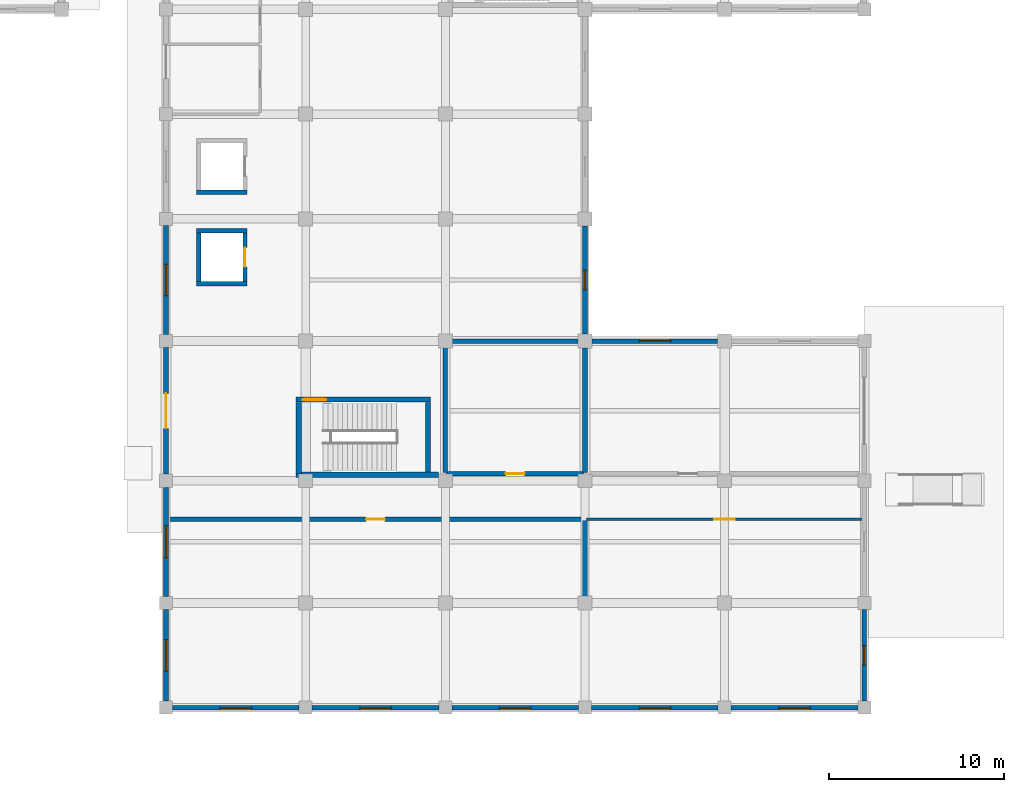
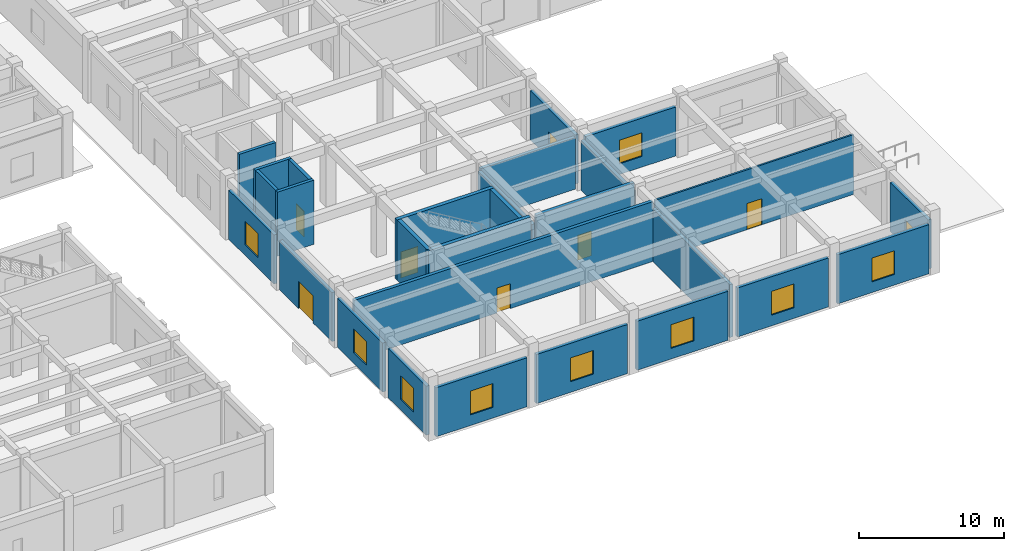
# One storey, part 27 of 40: 28 walls, 11 windows, 6 doors, 17 openings.
"""IFC4 building model written with IfcOpenShell, lengths in metres."""

from ifc_helpers import new_model, si_unit, direction, frame, frame_2d, origin, place, context, subcontext, project, spatial, rectangle, extrude, material, layer, layer_set, type_object, element, fill, save


model = new_model("IFC4")

# Units and contexts
model_context = context("Model", 3, precision=1e-05, world=origin(), true_north=direction((0.0, 1.0)))
body_context = subcontext(model_context, "Body", "Model", "MODEL_VIEW")
ifc_project = project(units=[si_unit("LENGTHUNIT", "METRE"), si_unit("AREAUNIT", "SQUARE_METRE"), si_unit("VOLUMEUNIT", "CUBIC_METRE"), si_unit("PLANEANGLEUNIT", "RADIAN"), si_unit("MASSUNIT", "GRAM", prefix="KILO")], contexts=[model_context])

# Site, building, storey
site_placement = place(None, origin())
site = spatial("IfcSite", under=ifc_project, at=site_placement, CompositionType="ELEMENT")
building_placement = place(site_placement, origin())
building = spatial("IfcBuilding", under=site, at=building_placement, Name="Naurynzar Civic Courthouse", CompositionType="ELEMENT")
storey_placement = place(building_placement, origin())
storey = spatial("IfcBuildingStorey", under=building, at=storey_placement, Name="L01", CompositionType="ELEMENT", Elevation=0.0)

# Wall, opening, door
ifc_material_1 = material(Name="Concrete C40/50", Category="concrete")
ifc_layer_1 = layer(ifc_material_1, 0.300048828125)
ifc_layer_set_1 = layer_set([ifc_layer_1], Name="WL-CORE-300")
wall_type_1 = type_object("IfcWallType", Name="WL-CORE-300", PredefinedType="SHEAR", material=ifc_layer_set_1)
wall_1_placement = place(storey_placement, frame((137.449951171875, 21.64990234375, 0.0), z_axis=(0.0, 0.0, 1.0), x_axis=(1.0, 0.0, 0.0)))
wall_1 = element("IfcWall", 1, at=wall_1_placement, inside=storey, type_object=wall_type_1, Name="Stair ST-V5A enclosure wall north L01", PredefinedType="SHEAR", context=body_context, shape_type="SweptSolid", body=[
    extrude(rectangle(XDim=7.699951171875, YDim=0.300048828125, at=frame_2d((3.85009765625, 0.0))), origin(), (0.0, 0.0, 1.0), 5.10009765625),
])
opening_1_placement = place(wall_1_placement, frame((0.375, 0.0, 0.0)))
opening_1 = element("IfcOpeningElement", 2, at=opening_1_placement, cuts=wall_1, Name="Opening SD-060", PredefinedType="OPENING", context=body_context, shape_type="SweptSolid", body=[
    extrude(rectangle(XDim=1.35009765625, YDim=2.199951171875, at=frame_2d((0.675048828125, 1.10009765625))), frame((0.0, 0.159912109375, 0.0), z_axis=(0.0, -1.0, 0.0), x_axis=(1.0, 0.0, 0.0)), (0.0, 0.0, 1.0), 0.320068359375),
])
ifc_material_2 = material(Name="Powder-Coated Galvanised Steel", Category="steel")
door_type_1 = type_object("IfcDoorType", Name="DR-STAIR-1350x2200", OperationType="NOTDEFINED", PredefinedType="DOOR", material=ifc_material_2)
door_1_placement = place(opening_1_placement, origin())
door_1 = element("IfcDoor", 3, at=door_1_placement, inside=storey, type_object=door_type_1, Name="Stair ST-V5A fire door L01", OperationType="SINGLE_SWING_RIGHT", OverallHeight=2.199951171875, OverallWidth=1.35009765625, PredefinedType="DOOR", context=body_context, shape_type="SweptSolid", body=[
    extrude(rectangle(XDim=1.35009765625, YDim=2.199951171875, at=frame_2d((0.675048828125, 1.10009765625))), frame((0.0, 0.02490234375, 0.0), z_axis=(0.0, -1.0, 0.0), x_axis=(1.0, 0.0, 0.0)), (0.0, 0.0, 1.0), 0.050048828125),
])
fill(opening_1, door_1)

# Walls
wall_2_placement = place(storey_placement, frame((137.449951171875, 17.35009765625, 0.0), z_axis=(0.0, 0.0, 1.0), x_axis=(1.0, 0.0, 0.0)))
element("IfcWall", 4, at=wall_2_placement, inside=storey, type_object=wall_type_1, Name="Stair ST-V5A enclosure wall south L01", PredefinedType="SHEAR", context=body_context, shape_type="SweptSolid", body=[
    extrude(rectangle(XDim=8.170166015625, YDim=0.300048828125, at=frame_2d((4.0849609375, 0.0))), origin(), (0.0, 0.0, 1.0), 5.10009765625),
])
wall_3_placement = place(storey_placement, frame((137.60009765625, 21.4951171875, 0.0), z_axis=(0.0, 0.0, 1.0), x_axis=(0.0, -1.0, 0.0)))
element("IfcWall", 5, at=wall_3_placement, inside=storey, type_object=wall_type_1, Name="Stair ST-V5A enclosure wall west L01", PredefinedType="SHEAR", context=body_context, shape_type="SweptSolid", body=[
    extrude(rectangle(XDim=4.115234375, YDim=0.300048828125, at=frame_2d((2.0576171875, 0.0))), origin(), (0.0, 0.0, 1.0), 5.10009765625),
])
wall_4_placement = place(storey_placement, frame((145.0, 17.5048828125, 0.0), z_axis=(0.0, 0.0, 1.0), x_axis=(0.0, 1.0, 0.0)))
element("IfcWall", 6, at=wall_4_placement, inside=storey, type_object=wall_type_1, Name="Stair ST-V5A enclosure wall east L01", PredefinedType="SHEAR", context=body_context, shape_type="SweptSolid", body=[
    extrude(rectangle(XDim=3.990234375, YDim=0.300048828125, at=frame_2d((1.9951171875, 0.0))), origin(), (0.0, 0.0, 1.0), 5.10009765625),
])

# Wall, opening, door
ifc_material_3 = material(Name="Concrete C40/50", Category="concrete")
ifc_layer_2 = layer(ifc_material_3, 0.260009765625)
ifc_layer_set_2 = layer_set([ifc_layer_2], Name="WL-CUS-260")
wall_type_2 = type_object("IfcWallType", Name="WL-CUS-260", PredefinedType="SOLIDWALL", material=ifc_layer_set_2)
wall_5_placement = place(storey_placement, frame((130.080078125, 14.800048828125, 0.0), z_axis=(0.0, 0.0, 1.0), x_axis=(1.0, 0.0, 0.0)))
wall_5 = element("IfcWall", 7, at=wall_5_placement, inside=storey, type_object=wall_type_2, Name="V5 interior partition L01.77", PredefinedType="SOLIDWALL", context=body_context, shape_type="SweptSolid", body=[
    extrude(rectangle(XDim=23.83984375, YDim=0.260009765625, at=frame_2d((11.919921875, 0.0))), origin(), (0.0, 0.0, 1.0), 5.0400390625),
])
opening_2_placement = place(wall_5_placement, frame((11.3798828125, 0.0, 0.0)))
opening_2 = element("IfcOpeningElement", 8, at=opening_2_placement, cuts=wall_5, Name="Opening D-280", PredefinedType="OPENING", context=body_context, shape_type="SweptSolid", body=[
    extrude(rectangle(XDim=1.080078125, YDim=2.10009765625, at=frame_2d((0.5400390625, 1.050048828125))), frame((0.0, 0.139892578125, 0.0), z_axis=(0.0, -1.0, 0.0), x_axis=(1.0, 0.0, 0.0)), (0.0, 0.0, 1.0), 0.280029296875),
])
ifc_material_4 = material(Name="Powder-Coated Galvanised Steel", Category="steel")
door_type_2 = type_object("IfcDoorType", Name="DR-CUS-CELL-1080x2100", OperationType="NOTDEFINED", PredefinedType="DOOR", material=ifc_material_4)
door_2_placement = place(opening_2_placement, origin())
door_2 = element("IfcDoor", 9, at=door_2_placement, inside=storey, type_object=door_type_2, Name="Interior door D-280 (Custody Suite Intake and Holding Cells)", OperationType="SINGLE_SWING_RIGHT", OverallHeight=2.10009765625, OverallWidth=1.080078125, PredefinedType="DOOR", context=body_context, shape_type="SweptSolid", body=[
    extrude(rectangle(XDim=1.080078125, YDim=2.10009765625, at=frame_2d((0.5400390625, 1.050048828125))), frame((0.0, 0.02490234375, 0.0), z_axis=(0.0, -1.0, 0.0), x_axis=(1.0, 0.0, 0.0)), (0.0, 0.0, 1.0), 0.050048828125),
])
fill(opening_2, door_2)

wall_6_placement = place(storey_placement, frame((146.080078125, 17.39990234375, 0.0), z_axis=(0.0, 0.0, 1.0), x_axis=(1.0, 0.0, 0.0)))
wall_6 = element("IfcWall", 10, at=wall_6_placement, inside=storey, type_object=wall_type_2, Name="V5 interior partition L01.79", PredefinedType="SOLIDWALL", context=body_context, shape_type="SweptSolid", body=[
    extrude(rectangle(XDim=7.83984375, YDim=0.260009765625, at=frame_2d((3.919921875, 0.0))), origin(), (0.0, 0.0, 1.0), 5.0400390625),
])
opening_3_placement = place(wall_6_placement, frame((3.3798828125, 0.0, 0.0)))
opening_3 = element("IfcOpeningElement", 11, at=opening_3_placement, cuts=wall_6, Name="Opening D-282", PredefinedType="OPENING", context=body_context, shape_type="SweptSolid", body=[
    extrude(rectangle(XDim=1.080078125, YDim=2.10009765625, at=frame_2d((0.5400390625, 1.050048828125))), frame((0.0, 0.139892578125, 0.0), z_axis=(0.0, -1.0, 0.0), x_axis=(1.0, 0.0, 0.0)), (0.0, 0.0, 1.0), 0.280029296875),
])
door_3_placement = place(opening_3_placement, origin())
door_3 = element("IfcDoor", 12, at=door_3_placement, inside=storey, type_object=door_type_2, Name="Interior door D-282 (Custody Escort Control and Medical Room)", OperationType="SINGLE_SWING_RIGHT", OverallHeight=2.10009765625, OverallWidth=1.080078125, PredefinedType="DOOR", context=body_context, shape_type="SweptSolid", body=[
    extrude(rectangle(XDim=1.080078125, YDim=2.10009765625, at=frame_2d((0.5400390625, 1.050048828125))), frame((0.0, 0.02490234375, 0.0), z_axis=(0.0, -1.0, 0.0), x_axis=(1.0, 0.0, 0.0)), (0.0, 0.0, 1.0), 0.050048828125),
])
fill(opening_3, door_3)

# Walls
wall_7_placement = place(storey_placement, frame((146.080078125, 25.0, 0.0), z_axis=(0.0, 0.0, 1.0), x_axis=(1.0, 0.0, 0.0)))
element("IfcWall", 13, at=wall_7_placement, inside=storey, type_object=wall_type_2, Name="V5 interior partition L01.87", PredefinedType="SOLIDWALL", context=body_context, shape_type="SweptSolid", body=[
    extrude(rectangle(XDim=7.52001953125, YDim=0.260009765625, at=frame_2d((3.760009765625, 0.0))), origin(), (0.0, 0.0, 1.0), 4.35009765625),
])
wall_8_placement = place(storey_placement, frame((146.0, 17.47998046875, 0.0), z_axis=(0.0, 0.0, 1.0), x_axis=(0.0, 1.0, 0.0)))
element("IfcWall", 14, at=wall_8_placement, inside=storey, type_object=wall_type_2, Name="V5 interior partition L01.176", PredefinedType="SOLIDWALL", context=body_context, shape_type="SweptSolid", body=[
    extrude(rectangle(XDim=7.43994140625, YDim=0.260009765625, at=frame_2d((3.719970703125, 0.0))), origin(), (0.0, 0.0, 1.0), 4.199951171875),
])
wall_9_placement = place(storey_placement, frame((154.0, 4.080078125, 0.0), z_axis=(0.0, 0.0, 1.0), x_axis=(0.0, 1.0, 0.0)))
element("IfcWall", 15, at=wall_9_placement, inside=storey, type_object=wall_type_2, Name="V5 interior partition L01.178", PredefinedType="SOLIDWALL", context=body_context, shape_type="SweptSolid", body=[
    extrude(rectangle(XDim=10.639892578125, YDim=0.260009765625, at=frame_2d((5.31982421875, 0.0))), origin(), (0.0, 0.0, 1.0), 4.449951171875),
])
wall_10_placement = place(storey_placement, frame((154.0, 17.47998046875, 0.0), z_axis=(0.0, 0.0, 1.0), x_axis=(0.0, 1.0, 0.0)))
element("IfcWall", 16, at=wall_10_placement, inside=storey, type_object=wall_type_2, Name="V5 interior partition L01.179", PredefinedType="SOLIDWALL", context=body_context, shape_type="SweptSolid", body=[
    extrude(rectangle(XDim=7.1201171875, YDim=0.260009765625, at=frame_2d((3.56005859375, 0.0))), origin(), (0.0, 0.0, 1.0), 4.199951171875),
])

# Wall, opening, window
ifc_material_5 = material(Name="Precast concrete C40/50", Category="concrete")
ifc_layer_3 = layer(ifc_material_5, 0.260009765625)
ifc_layer_set_3 = layer_set([ifc_layer_3], Name="WL-EXT-260")
wall_type_3 = type_object("IfcWallType", Name="WL-EXT-260", PredefinedType="SOLIDWALL", material=ifc_layer_set_3)
wall_11_placement = place(storey_placement, frame((130.0, 4.375, 0.0), z_axis=(0.0, 0.0, 1.0), x_axis=(0.0, 1.0, 0.0)))
wall_11 = element("IfcWall", 17, at=wall_11_placement, inside=storey, type_object=wall_type_3, Name="V5 exterior wall west L01.1.1", PredefinedType="SOLIDWALL", context=body_context, shape_type="SweptSolid", body=[
    extrude(rectangle(XDim=5.25, YDim=0.260009765625, at=frame_2d((2.625, 0.0))), origin(), (0.0, 0.0, 1.0), 4.1298828125),
])
opening_4_placement = place(wall_11_placement, frame((1.72509765625, 0.0, 0.89990234375)))
opening_4 = element("IfcOpeningElement", 18, at=opening_4_placement, cuts=wall_11, Name="Opening WN-03", PredefinedType="OPENING", context=body_context, shape_type="SweptSolid", body=[
    extrude(rectangle(XDim=1.800048828125, YDim=2.0, at=frame_2d((0.89990234375, 1.0))), frame((0.0, 0.139892578125, 0.0), z_axis=(0.0, -1.0, 0.0), x_axis=(1.0, 0.0, 0.0)), (0.0, 0.0, 1.0), 0.280029296875),
])
ifc_material_6 = material(Name="Tempered Laminated Low-E Glass", Category="glass")
window_type_1 = type_object("IfcWindowType", Name="WIN-COURT-1800x2000", PartitioningType="DOUBLE_PANEL_VERTICAL", PredefinedType="WINDOW", material=ifc_material_6)
window_1_placement = place(opening_4_placement, origin())
window_1 = element("IfcWindow", 19, at=window_1_placement, inside=storey, type_object=window_type_1, Name="V5 window 238 L01", OverallHeight=2.0, OverallWidth=1.800048828125, PartitioningType="SINGLE_PANEL", PredefinedType="WINDOW", context=body_context, shape_type="SweptSolid", body=[
    extrude(rectangle(XDim=1.800048828125, YDim=2.0, at=frame_2d((0.89990234375, 1.0))), frame((0.0, 0.030029296875, 0.0), z_axis=(0.0, -1.0, 0.0), x_axis=(1.0, 0.0, 0.0)), (0.0, 0.0, 1.0), 0.06005859375),
])
fill(opening_4, window_1)

wall_12_placement = place(storey_placement, frame((130.0, 10.375, 0.0), z_axis=(0.0, 0.0, 1.0), x_axis=(0.0, 1.0, 0.0)))
wall_12 = element("IfcWall", 20, at=wall_12_placement, inside=storey, type_object=wall_type_3, Name="V5 exterior wall west L01.2.1", PredefinedType="SOLIDWALL", context=body_context, shape_type="SweptSolid", body=[
    extrude(rectangle(XDim=6.25, YDim=0.260009765625, at=frame_2d((3.125, 0.0))), origin(), (0.0, 0.0, 1.0), 4.1298828125),
])
opening_5_placement = place(wall_12_placement, frame((2.22509765625, 0.0, 0.89990234375)))
opening_5 = element("IfcOpeningElement", 21, at=opening_5_placement, cuts=wall_12, Name="Opening WN-03", PredefinedType="OPENING", context=body_context, shape_type="SweptSolid", body=[
    extrude(rectangle(XDim=1.800048828125, YDim=2.0, at=frame_2d((0.89990234375, 1.0))), frame((0.0, 0.139892578125, 0.0), z_axis=(0.0, -1.0, 0.0), x_axis=(1.0, 0.0, 0.0)), (0.0, 0.0, 1.0), 0.280029296875),
])
window_2_placement = place(opening_5_placement, origin())
window_2 = element("IfcWindow", 22, at=window_2_placement, inside=storey, type_object=window_type_1, Name="V5 window 239 L01", OverallHeight=2.0, OverallWidth=1.800048828125, PartitioningType="SINGLE_PANEL", PredefinedType="WINDOW", context=body_context, shape_type="SweptSolid", body=[
    extrude(rectangle(XDim=1.800048828125, YDim=2.0, at=frame_2d((0.89990234375, 1.0))), frame((0.0, 0.030029296875, 0.0), z_axis=(0.0, -1.0, 0.0), x_axis=(1.0, 0.0, 0.0)), (0.0, 0.0, 1.0), 0.06005859375),
])
fill(opening_5, window_2)

# Wall, opening, door
wall_13_placement = place(storey_placement, frame((130.0, 17.375, 0.0), z_axis=(0.0, 0.0, 1.0), x_axis=(0.0, 1.0, 0.0)))
wall_13 = element("IfcWall", 23, at=wall_13_placement, inside=storey, type_object=wall_type_3, Name="V5 exterior wall west L01.3.1", PredefinedType="SOLIDWALL", context=body_context, shape_type="SweptSolid", body=[
    extrude(rectangle(XDim=7.25, YDim=0.260009765625, at=frame_2d((3.625, 0.0))), origin(), (0.0, 0.0, 1.0), 4.1298828125),
])
opening_6_placement = place(wall_13_placement, frame((2.625, 0.0, 0.0)))
opening_6 = element("IfcOpeningElement", 24, at=opening_6_placement, cuts=wall_13, Name="Opening ED-19", PredefinedType="OPENING", context=body_context, shape_type="SweptSolid", body=[
    extrude(rectangle(XDim=2.0, YDim=2.300048828125, at=frame_2d((1.0, 1.14990234375))), frame((0.0, 0.139892578125, 0.0), z_axis=(0.0, -1.0, 0.0), x_axis=(1.0, 0.0, 0.0)), (0.0, 0.0, 1.0), 0.280029296875),
])
ifc_material_7 = material(Name="Aluminium 6063-T6", Category="aluminium")
door_type_3 = type_object("IfcDoorType", Name="DR-EXT-2000x2300", OperationType="DOUBLE_DOOR_SINGLE_SWING", PredefinedType="DOOR", material=ifc_material_7)
door_4_placement = place(opening_6_placement, origin())
door_4 = element("IfcDoor", 25, at=door_4_placement, inside=storey, type_object=door_type_3, Name="Ground final exit door ED-19", OperationType="DOUBLE_DOOR_SINGLE_SWING", OverallHeight=2.300048828125, OverallWidth=2.0, PredefinedType="DOOR", context=body_context, shape_type="SweptSolid", body=[
    extrude(rectangle(XDim=2.0, YDim=2.300048828125, at=frame_2d((1.0, 1.14990234375))), frame((0.0, 0.02490234375, 0.0), z_axis=(0.0, -1.0, 0.0), x_axis=(1.0, 0.0, 0.0)), (0.0, 0.0, 1.0), 0.050048828125),
])
fill(opening_6, door_4)

# Wall, opening, window
wall_14_placement = place(storey_placement, frame((130.0, 25.375, 0.0), z_axis=(0.0, 0.0, 1.0), x_axis=(0.0, 1.0, 0.0)))
wall_14 = element("IfcWall", 26, at=wall_14_placement, inside=storey, type_object=wall_type_3, Name="V5 exterior wall west L01.4.1", PredefinedType="SOLIDWALL", context=body_context, shape_type="SweptSolid", body=[
    extrude(rectangle(XDim=6.25, YDim=0.260009765625, at=frame_2d((3.125, 0.0))), origin(), (0.0, 0.0, 1.0), 4.1298828125),
])
opening_7_placement = place(wall_14_placement, frame((2.22509765625, 0.0, 0.89990234375)))
opening_7 = element("IfcOpeningElement", 27, at=opening_7_placement, cuts=wall_14, Name="Opening WN-03", PredefinedType="OPENING", context=body_context, shape_type="SweptSolid", body=[
    extrude(rectangle(XDim=1.800048828125, YDim=2.0, at=frame_2d((0.89990234375, 1.0))), frame((0.0, 0.139892578125, 0.0), z_axis=(0.0, -1.0, 0.0), x_axis=(1.0, 0.0, 0.0)), (0.0, 0.0, 1.0), 0.280029296875),
])
window_3_placement = place(opening_7_placement, origin())
window_3 = element("IfcWindow", 28, at=window_3_placement, inside=storey, type_object=window_type_1, Name="V5 window 240 L01", OverallHeight=2.0, OverallWidth=1.800048828125, PartitioningType="SINGLE_PANEL", PredefinedType="WINDOW", context=body_context, shape_type="SweptSolid", body=[
    extrude(rectangle(XDim=1.800048828125, YDim=2.0, at=frame_2d((0.89990234375, 1.0))), frame((0.0, 0.030029296875, 0.0), z_axis=(0.0, -1.0, 0.0), x_axis=(1.0, 0.0, 0.0)), (0.0, 0.0, 1.0), 0.06005859375),
])
fill(opening_7, window_3)

wall_15_placement = place(storey_placement, frame((154.0, 31.60009765625, 0.0), z_axis=(0.0, 0.0, 1.0), x_axis=(0.0, -1.0, 0.0)))
wall_15 = element("IfcWall", 29, at=wall_15_placement, inside=storey, type_object=wall_type_3, Name="V5 exterior wall notch_w L01.3.1", PredefinedType="SOLIDWALL", context=body_context, shape_type="SweptSolid", body=[
    extrude(rectangle(XDim=6.2001953125, YDim=0.260009765625, at=frame_2d((3.10009765625, 0.0))), origin(), (0.0, 0.0, 1.0), 4.1298828125),
])
opening_8_placement = place(wall_15_placement, frame((2.550048828125, 0.0, 1.0)))
opening_8 = element("IfcOpeningElement", 30, at=opening_8_placement, cuts=wall_15, Name="Opening WN-15", PredefinedType="OPENING", context=body_context, shape_type="SweptSolid", body=[
    extrude(rectangle(XDim=1.10009765625, YDim=1.199951171875, at=frame_2d((0.550048828125, 0.60009765625))), frame((0.0, 0.139892578125, 0.0), z_axis=(0.0, -1.0, 0.0), x_axis=(1.0, 0.0, 0.0)), (0.0, 0.0, 1.0), 0.280029296875),
])
ifc_material_8 = material(Name="Tempered Laminated Low-E Glass", Category="glass")
window_type_2 = type_object("IfcWindowType", Name="WIN-SEC-1100x1200", PartitioningType="SINGLE_PANEL", PredefinedType="WINDOW", material=ifc_material_8)
window_4_placement = place(opening_8_placement, origin())
window_4 = element("IfcWindow", 31, at=window_4_placement, inside=storey, type_object=window_type_2, Name="V5 window 252 L01", OverallHeight=1.199951171875, OverallWidth=1.10009765625, PartitioningType="SINGLE_PANEL", PredefinedType="WINDOW", context=body_context, shape_type="SweptSolid", body=[
    extrude(rectangle(XDim=1.10009765625, YDim=1.199951171875, at=frame_2d((0.550048828125, 0.60009765625))), frame((0.0, 0.030029296875, 0.0), z_axis=(0.0, -1.0, 0.0), x_axis=(1.0, 0.0, 0.0)), (0.0, 0.0, 1.0), 0.06005859375),
])
fill(opening_8, window_4)

wall_16_placement = place(storey_placement, frame((154.39990234375, 25.0, 0.0), z_axis=(0.0, 0.0, 1.0), x_axis=(1.0, 0.0, 0.0)))
wall_16 = element("IfcWall", 32, at=wall_16_placement, inside=storey, type_object=wall_type_3, Name="V5 exterior wall notch_s L01.1.1", PredefinedType="SOLIDWALL", context=body_context, shape_type="SweptSolid", body=[
    extrude(rectangle(XDim=7.2001953125, YDim=0.260009765625, at=frame_2d((3.60009765625, 0.0))), origin(), (0.0, 0.0, 1.0), 4.1298828125),
])
opening_9_placement = place(wall_16_placement, frame((2.699951171875, 0.0, 0.89990234375)))
opening_9 = element("IfcOpeningElement", 33, at=opening_9_placement, cuts=wall_16, Name="Opening WN-03", PredefinedType="OPENING", context=body_context, shape_type="SweptSolid", body=[
    extrude(rectangle(XDim=1.800048828125, YDim=2.0, at=frame_2d((0.89990234375, 1.0))), frame((0.0, 0.139892578125, 0.0), z_axis=(0.0, -1.0, 0.0), x_axis=(1.0, 0.0, 0.0)), (0.0, 0.0, 1.0), 0.280029296875),
])
window_5_placement = place(opening_9_placement, origin())
window_5 = element("IfcWindow", 34, at=window_5_placement, inside=storey, type_object=window_type_1, Name="V5 window 253 L01", OverallHeight=2.0, OverallWidth=1.800048828125, PartitioningType="SINGLE_PANEL", PredefinedType="WINDOW", context=body_context, shape_type="SweptSolid", body=[
    extrude(rectangle(XDim=1.800048828125, YDim=2.0, at=frame_2d((0.89990234375, 1.0))), frame((0.0, 0.030029296875, 0.0), z_axis=(0.0, -1.0, 0.0), x_axis=(1.0, 0.0, 0.0)), (0.0, 0.0, 1.0), 0.06005859375),
])
fill(opening_9, window_5)

wall_17_placement = place(storey_placement, frame((170.0, 9.625, 0.0), z_axis=(0.0, 0.0, 1.0), x_axis=(0.0, -1.0, 0.0)))
wall_17 = element("IfcWall", 35, at=wall_17_placement, inside=storey, type_object=wall_type_3, Name="V5 exterior wall east_south L01.3.1", PredefinedType="SOLIDWALL", context=body_context, shape_type="SweptSolid", body=[
    extrude(rectangle(XDim=5.25, YDim=0.260009765625, at=frame_2d((2.625, 0.0))), origin(), (0.0, 0.0, 1.0), 4.1298828125),
])
opening_10_placement = place(wall_17_placement, frame((2.074951171875, 0.0, 1.0)))
opening_10 = element("IfcOpeningElement", 36, at=opening_10_placement, cuts=wall_17, Name="Opening WN-15", PredefinedType="OPENING", context=body_context, shape_type="SweptSolid", body=[
    extrude(rectangle(XDim=1.10009765625, YDim=1.199951171875, at=frame_2d((0.550048828125, 0.60009765625))), frame((0.0, 0.139892578125, 0.0), z_axis=(0.0, -1.0, 0.0), x_axis=(1.0, 0.0, 0.0)), (0.0, 0.0, 1.0), 0.280029296875),
])
window_6_placement = place(opening_10_placement, origin())
window_6 = element("IfcWindow", 37, at=window_6_placement, inside=storey, type_object=window_type_2, Name="V5 window 256 L01", OverallHeight=1.199951171875, OverallWidth=1.10009765625, PartitioningType="SINGLE_PANEL", PredefinedType="WINDOW", context=body_context, shape_type="SweptSolid", body=[
    extrude(rectangle(XDim=1.10009765625, YDim=1.199951171875, at=frame_2d((0.550048828125, 0.60009765625))), frame((0.0, 0.030029296875, 0.0), z_axis=(0.0, -1.0, 0.0), x_axis=(1.0, 0.0, 0.0)), (0.0, 0.0, 1.0), 0.06005859375),
])
fill(opening_10, window_6)

wall_18_placement = place(storey_placement, frame((169.625, 4.0, 0.0), z_axis=(0.0, 0.0, 1.0), x_axis=(-1.0, 0.0, 0.0)))
wall_18 = element("IfcWall", 38, at=wall_18_placement, inside=storey, type_object=wall_type_3, Name="V5 exterior wall south L01.1.1", PredefinedType="SOLIDWALL", context=body_context, shape_type="SweptSolid", body=[
    extrude(rectangle(XDim=7.25, YDim=0.260009765625, at=frame_2d((3.625, 0.0))), origin(), (0.0, 0.0, 1.0), 4.1298828125),
])
opening_11_placement = place(wall_18_placement, frame((2.72509765625, 0.0, 0.89990234375)))
opening_11 = element("IfcOpeningElement", 39, at=opening_11_placement, cuts=wall_18, Name="Opening WN-03", PredefinedType="OPENING", context=body_context, shape_type="SweptSolid", body=[
    extrude(rectangle(XDim=1.800048828125, YDim=2.0, at=frame_2d((0.89990234375, 1.0))), frame((0.0, 0.139892578125, 0.0), z_axis=(0.0, -1.0, 0.0), x_axis=(1.0, 0.0, 0.0)), (0.0, 0.0, 1.0), 0.280029296875),
])
window_7_placement = place(opening_11_placement, origin())
window_7 = element("IfcWindow", 40, at=window_7_placement, inside=storey, type_object=window_type_1, Name="V5 window 257 L01", OverallHeight=2.0, OverallWidth=1.800048828125, PartitioningType="SINGLE_PANEL", PredefinedType="WINDOW", context=body_context, shape_type="SweptSolid", body=[
    extrude(rectangle(XDim=1.800048828125, YDim=2.0, at=frame_2d((0.89990234375, 1.0))), frame((0.0, 0.030029296875, 0.0), z_axis=(0.0, -1.0, 0.0), x_axis=(1.0, 0.0, 0.0)), (0.0, 0.0, 1.0), 0.06005859375),
])
fill(opening_11, window_7)

wall_19_placement = place(storey_placement, frame((161.625, 4.0, 0.0), z_axis=(0.0, 0.0, 1.0), x_axis=(-1.0, 0.0, 0.0)))
wall_19 = element("IfcWall", 41, at=wall_19_placement, inside=storey, type_object=wall_type_3, Name="V5 exterior wall south L01.2.1", PredefinedType="SOLIDWALL", context=body_context, shape_type="SweptSolid", body=[
    extrude(rectangle(XDim=7.25, YDim=0.260009765625, at=frame_2d((3.625, 0.0))), origin(), (0.0, 0.0, 1.0), 4.1298828125),
])
opening_12_placement = place(wall_19_placement, frame((2.72509765625, 0.0, 0.89990234375)))
opening_12 = element("IfcOpeningElement", 42, at=opening_12_placement, cuts=wall_19, Name="Opening WN-03", PredefinedType="OPENING", context=body_context, shape_type="SweptSolid", body=[
    extrude(rectangle(XDim=1.800048828125, YDim=2.0, at=frame_2d((0.89990234375, 1.0))), frame((0.0, 0.139892578125, 0.0), z_axis=(0.0, -1.0, 0.0), x_axis=(1.0, 0.0, 0.0)), (0.0, 0.0, 1.0), 0.280029296875),
])
window_8_placement = place(opening_12_placement, origin())
window_8 = element("IfcWindow", 43, at=window_8_placement, inside=storey, type_object=window_type_1, Name="V5 window 258 L01", OverallHeight=2.0, OverallWidth=1.800048828125, PartitioningType="SINGLE_PANEL", PredefinedType="WINDOW", context=body_context, shape_type="SweptSolid", body=[
    extrude(rectangle(XDim=1.800048828125, YDim=2.0, at=frame_2d((0.89990234375, 1.0))), frame((0.0, 0.030029296875, 0.0), z_axis=(0.0, -1.0, 0.0), x_axis=(1.0, 0.0, 0.0)), (0.0, 0.0, 1.0), 0.06005859375),
])
fill(opening_12, window_8)

wall_20_placement = place(storey_placement, frame((153.625, 4.0, 0.0), z_axis=(0.0, 0.0, 1.0), x_axis=(-1.0, 0.0, 0.0)))
wall_20 = element("IfcWall", 44, at=wall_20_placement, inside=storey, type_object=wall_type_3, Name="V5 exterior wall south L01.3.1", PredefinedType="SOLIDWALL", context=body_context, shape_type="SweptSolid", body=[
    extrude(rectangle(XDim=7.25, YDim=0.260009765625, at=frame_2d((3.625, 0.0))), origin(), (0.0, 0.0, 1.0), 4.1298828125),
])
opening_13_placement = place(wall_20_placement, frame((2.72509765625, 0.0, 0.89990234375)))
opening_13 = element("IfcOpeningElement", 45, at=opening_13_placement, cuts=wall_20, Name="Opening WN-03", PredefinedType="OPENING", context=body_context, shape_type="SweptSolid", body=[
    extrude(rectangle(XDim=1.800048828125, YDim=2.0, at=frame_2d((0.89990234375, 1.0))), frame((0.0, 0.139892578125, 0.0), z_axis=(0.0, -1.0, 0.0), x_axis=(1.0, 0.0, 0.0)), (0.0, 0.0, 1.0), 0.280029296875),
])
window_9_placement = place(opening_13_placement, origin())
window_9 = element("IfcWindow", 46, at=window_9_placement, inside=storey, type_object=window_type_1, Name="V5 window 259 L01", OverallHeight=2.0, OverallWidth=1.800048828125, PartitioningType="SINGLE_PANEL", PredefinedType="WINDOW", context=body_context, shape_type="SweptSolid", body=[
    extrude(rectangle(XDim=1.800048828125, YDim=2.0, at=frame_2d((0.89990234375, 1.0))), frame((0.0, 0.030029296875, 0.0), z_axis=(0.0, -1.0, 0.0), x_axis=(1.0, 0.0, 0.0)), (0.0, 0.0, 1.0), 0.06005859375),
])
fill(opening_13, window_9)

wall_21_placement = place(storey_placement, frame((145.625, 4.0, 0.0), z_axis=(0.0, 0.0, 1.0), x_axis=(-1.0, 0.0, 0.0)))
wall_21 = element("IfcWall", 47, at=wall_21_placement, inside=storey, type_object=wall_type_3, Name="V5 exterior wall south L01.4.1", PredefinedType="SOLIDWALL", context=body_context, shape_type="SweptSolid", body=[
    extrude(rectangle(XDim=7.25, YDim=0.260009765625, at=frame_2d((3.625, 0.0))), origin(), (0.0, 0.0, 1.0), 4.1298828125),
])
opening_14_placement = place(wall_21_placement, frame((2.72509765625, 0.0, 0.89990234375)))
opening_14 = element("IfcOpeningElement", 48, at=opening_14_placement, cuts=wall_21, Name="Opening WN-03", PredefinedType="OPENING", context=body_context, shape_type="SweptSolid", body=[
    extrude(rectangle(XDim=1.800048828125, YDim=2.0, at=frame_2d((0.89990234375, 1.0))), frame((0.0, 0.139892578125, 0.0), z_axis=(0.0, -1.0, 0.0), x_axis=(1.0, 0.0, 0.0)), (0.0, 0.0, 1.0), 0.280029296875),
])
window_10_placement = place(opening_14_placement, origin())
window_10 = element("IfcWindow", 49, at=window_10_placement, inside=storey, type_object=window_type_1, Name="V5 window 260 L01", OverallHeight=2.0, OverallWidth=1.800048828125, PartitioningType="SINGLE_PANEL", PredefinedType="WINDOW", context=body_context, shape_type="SweptSolid", body=[
    extrude(rectangle(XDim=1.800048828125, YDim=2.0, at=frame_2d((0.89990234375, 1.0))), frame((0.0, 0.030029296875, 0.0), z_axis=(0.0, -1.0, 0.0), x_axis=(1.0, 0.0, 0.0)), (0.0, 0.0, 1.0), 0.06005859375),
])
fill(opening_14, window_10)

wall_22_placement = place(storey_placement, frame((137.625, 4.0, 0.0), z_axis=(0.0, 0.0, 1.0), x_axis=(-1.0, 0.0, 0.0)))
wall_22 = element("IfcWall", 50, at=wall_22_placement, inside=storey, type_object=wall_type_3, Name="V5 exterior wall south L01.5.1", PredefinedType="SOLIDWALL", context=body_context, shape_type="SweptSolid", body=[
    extrude(rectangle(XDim=7.25, YDim=0.260009765625, at=frame_2d((3.625, 0.0))), origin(), (0.0, 0.0, 1.0), 4.1298828125),
])
opening_15_placement = place(wall_22_placement, frame((2.72509765625, 0.0, 0.89990234375)))
opening_15 = element("IfcOpeningElement", 51, at=opening_15_placement, cuts=wall_22, Name="Opening WN-03", PredefinedType="OPENING", context=body_context, shape_type="SweptSolid", body=[
    extrude(rectangle(XDim=1.800048828125, YDim=2.0, at=frame_2d((0.89990234375, 1.0))), frame((0.0, 0.139892578125, 0.0), z_axis=(0.0, -1.0, 0.0), x_axis=(1.0, 0.0, 0.0)), (0.0, 0.0, 1.0), 0.280029296875),
])
window_11_placement = place(opening_15_placement, origin())
window_11 = element("IfcWindow", 52, at=window_11_placement, inside=storey, type_object=window_type_1, Name="V5 window 261 L01", OverallHeight=2.0, OverallWidth=1.800048828125, PartitioningType="SINGLE_PANEL", PredefinedType="WINDOW", context=body_context, shape_type="SweptSolid", body=[
    extrude(rectangle(XDim=1.800048828125, YDim=2.0, at=frame_2d((0.89990234375, 1.0))), frame((0.0, 0.030029296875, 0.0), z_axis=(0.0, -1.0, 0.0), x_axis=(1.0, 0.0, 0.0)), (0.0, 0.0, 1.0), 0.06005859375),
])
fill(opening_15, window_11)

# Wall, opening, door
ifc_material_9 = material(Name="Fire-Rated Corridor Gypsum Partition")
ifc_layer_4 = layer(ifc_material_9, 0.14990234375)
ifc_layer_set_4 = layer_set([ifc_layer_4], Name="WL-PART-CORR-150")
wall_type_4 = type_object("IfcWallType", Name="WL-PART-CORR-150", PredefinedType="PARTITIONING", material=ifc_layer_set_4)
wall_23_placement = place(storey_placement, frame((154.080078125, 14.800048828125, 0.0), z_axis=(0.0, 0.0, 1.0), x_axis=(1.0, 0.0, 0.0)))
wall_23 = element("IfcWall", 53, at=wall_23_placement, inside=storey, type_object=wall_type_4, Name="V5 interior partition L01.78", PredefinedType="PARTITIONING", context=body_context, shape_type="SweptSolid", body=[
    extrude(rectangle(XDim=15.83984375, YDim=0.14990234375, at=frame_2d((7.919921875, 0.0))), origin(), (0.0, 0.0, 1.0), 5.0400390625),
])
opening_16_placement = place(wall_23_placement, frame((7.330078125, 0.0, 0.0)))
opening_16 = element("IfcOpeningElement", 54, at=opening_16_placement, cuts=wall_23, Name="Opening D-281", PredefinedType="OPENING", context=body_context, shape_type="SweptSolid", body=[
    extrude(rectangle(XDim=1.179931640625, YDim=2.199951171875, at=frame_2d((0.58984375, 1.10009765625))), frame((0.0, 0.0849609375, 0.0), z_axis=(0.0, -1.0, 0.0), x_axis=(1.0, 0.0, 0.0)), (0.0, 0.0, 1.0), 0.169921875),
])
ifc_material_10 = material(Name="Acoustic Oak Timber Grade A", Category="wood")
door_type_4 = type_object("IfcDoorType", Name="DR-SUITE-1180x2200", OperationType="NOTDEFINED", PredefinedType="DOOR", material=ifc_material_10)
door_5_placement = place(opening_16_placement, origin())
door_5 = element("IfcDoor", 55, at=door_5_placement, inside=storey, type_object=door_type_4, Name="Interior door D-281 (Attorney-Client Secure Interview Booths)", OperationType="SINGLE_SWING_LEFT", OverallHeight=2.199951171875, OverallWidth=1.179931640625, PredefinedType="DOOR", context=body_context, shape_type="SweptSolid", body=[
    extrude(rectangle(XDim=1.179931640625, YDim=2.199951171875, at=frame_2d((0.58984375, 1.10009765625))), frame((0.0, 0.02490234375, 0.0), z_axis=(0.0, -1.0, 0.0), x_axis=(1.0, 0.0, 0.0)), (0.0, 0.0, 1.0), 0.050048828125),
])
fill(opening_16, door_5)

# Walls
ifc_material_11 = material(Name="Concrete C40/50", Category="concrete")
ifc_layer_5 = layer(ifc_material_11, 0.25)
ifc_layer_set_5 = layer_set([ifc_layer_5], Name="WL-SHAFT-250")
wall_type_5 = type_object("IfcWallType", Name="WL-SHAFT-250", PredefinedType="SHEAR", material=ifc_layer_set_5)
for number, where, z_axis, x_axis, name in (
    (56, (131.75, 33.52490234375, 0.0), (0.0, 0.0, 1.0), (1.0, 0.0, 0.0), "Lift LP-05 shaft wall south L01"),
    (57, (131.75, 28.27490234375, 0.0), (0.0, 0.0, 1.0), (1.0, 0.0, 0.0), "Lift LP-06 shaft wall south L01"),
    (58, (134.64990234375, 31.324951171875, 0.0), (0.0, 0.0, 1.0), (-1.0, 0.0, 0.0), "Lift LP-06 shaft wall north L01"),
):
    element("IfcWall", number, at=place(storey_placement, frame(where, z_axis=z_axis, x_axis=x_axis)), inside=storey, type_object=wall_type_5, Name=name, PredefinedType="SHEAR", context=body_context, shape_type="SweptSolid", body=[
        extrude(rectangle(XDim=2.89990234375, YDim=0.25, at=frame_2d((1.449951171875, 0.0))), origin(), (0.0, 0.0, 1.0), 5.39990234375),
    ])
wall_24_placement = place(storey_placement, frame((131.875, 31.195068359375, 0.0), z_axis=(0.0, 0.0, 1.0), x_axis=(0.0, -1.0, 0.0)))
element("IfcWall", 59, at=wall_24_placement, inside=storey, type_object=wall_type_5, Name="Lift LP-06 shaft wall west L01", PredefinedType="SHEAR", context=body_context, shape_type="SweptSolid", body=[
    extrude(rectangle(XDim=2.7900390625, YDim=0.25, at=frame_2d((1.39501953125, 0.0))), origin(), (0.0, 0.0, 1.0), 5.39990234375),
])

# Wall, opening, door
wall_25_placement = place(storey_placement, frame((134.52490234375, 28.405029296875, 0.0), z_axis=(0.0, 0.0, 1.0), x_axis=(0.0, 1.0, 0.0)))
wall_25 = element("IfcWall", 60, at=wall_25_placement, inside=storey, type_object=wall_type_5, Name="Lift LP-06 shaft wall east L01", PredefinedType="SHEAR", context=body_context, shape_type="SweptSolid", body=[
    extrude(rectangle(XDim=2.7900390625, YDim=0.25, at=frame_2d((1.39501953125, 0.0))), origin(), (0.0, 0.0, 1.0), 5.39990234375),
])
opening_17_placement = place(wall_25_placement, frame((0.844970703125, 0.0, 0.0)))
opening_17 = element("IfcOpeningElement", 61, at=opening_17_placement, cuts=wall_25, Name="Opening LD-078", PredefinedType="OPENING", context=body_context, shape_type="SweptSolid", body=[
    extrude(rectangle(XDim=1.10009765625, YDim=2.14990234375, at=frame_2d((0.550048828125, 1.074951171875))), frame((0.0, 0.135009765625, 0.0), z_axis=(0.0, -1.0, 0.0), x_axis=(1.0, 0.0, 0.0)), (0.0, 0.0, 1.0), 0.27001953125),
])
ifc_material_12 = material(Name="Brushed Stainless Steel 304", Category="steel")
door_type_5 = type_object("IfcDoorType", Name="DR-LIFT-SLIDE-1100x2150", OperationType="DOUBLE_DOOR_SLIDING", PredefinedType="DOOR", material=ifc_material_12)
door_6_placement = place(opening_17_placement, origin())
door_6 = element("IfcDoor", 62, at=door_6_placement, inside=storey, type_object=door_type_5, Name="Lift LP-06 sliding landing door L01", OperationType="DOUBLE_DOOR_SLIDING", OverallHeight=2.14990234375, OverallWidth=1.10009765625, PredefinedType="DOOR", context=body_context, shape_type="SweptSolid", body=[
    extrude(rectangle(XDim=1.10009765625, YDim=2.14990234375, at=frame_2d((0.550048828125, 1.074951171875))), frame((0.0, 0.02490234375, 0.0), z_axis=(0.0, -1.0, 0.0), x_axis=(1.0, 0.0, 0.0)), (0.0, 0.0, 1.0), 0.050048828125),
])
fill(opening_17, door_6)

save(model, "model.ifc")
